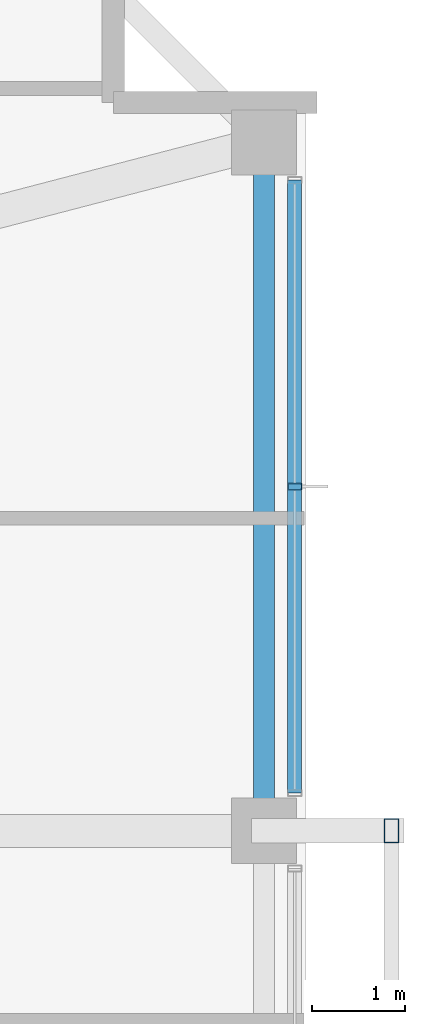
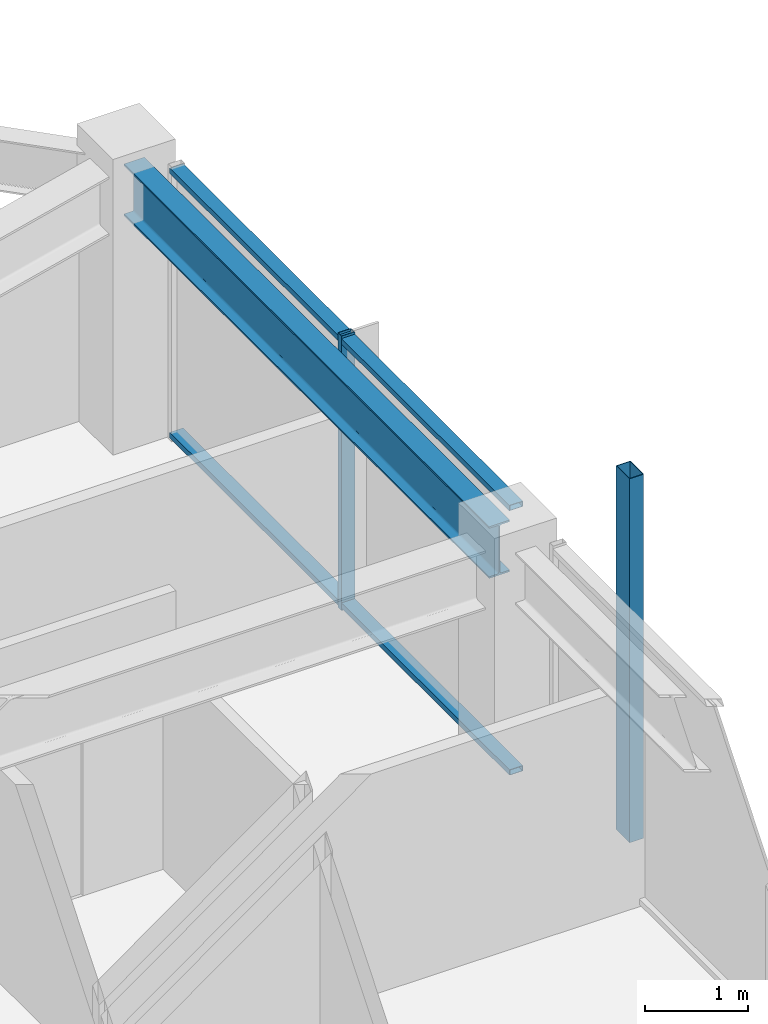
# One storey, part 14 of 34: 4 members, 1 beam, 1 element without a shape of its own.
"""IFC4 building model written with IfcOpenShell, lengths in metres."""

from ifc_helpers import new_model, si_unit, direction, frame, origin, origin_2d, place, context, subcontext, project, spatial, hollow_rectangle, i_section, extrude, material, material_profile, profile_set, type_object, element, aggregate, save


model = new_model("IFC4")

# Units and contexts
model_context = context("Model", 3, precision=1e-05, world=origin(), true_north=direction((0.0, 1.0)))
body_context = subcontext(model_context, "Body", "Model", "MODEL_VIEW")
ifc_project = project(units=[si_unit("LENGTHUNIT", "METRE"), si_unit("AREAUNIT", "SQUARE_METRE"), si_unit("VOLUMEUNIT", "CUBIC_METRE"), si_unit("PLANEANGLEUNIT", "RADIAN"), si_unit("MASSUNIT", "GRAM", prefix="KILO")], contexts=[model_context])

# Site, building, storey
site_placement = place(None, origin())
site = spatial("IfcSite", under=ifc_project, at=site_placement, CompositionType="ELEMENT")
building_placement = place(site_placement, origin())
building = spatial("IfcBuilding", under=site, at=building_placement, Name="Kolvaren Belvedere", CompositionType="ELEMENT")
storey_placement = place(building_placement, frame((0.0, 0.0, 240.89990234375)))
storey = spatial("IfcBuildingStorey", under=building, at=storey_placement, Name="L70", CompositionType="ELEMENT", Elevation=240.89990234375)

# Beam
ifc_material_1 = material(Name="Structural steel ASTM A992 Grade 50", Category="steel")
ifc_material_profile_1 = material_profile(ifc_material_1, i_section(OverallWidth=0.22900390625, OverallDepth=0.612060546875, WebThickness=0.011962890625, FlangeThickness=0.01953125, FilletRadius=0.01806640625, at=origin_2d()), Name="W24X84")
ifc_profile_set_1 = profile_set([ifc_material_profile_1], Name="Structural steel ASTM A992 Grade 50")
beam_type = type_object("IfcBeamType", Name="BM-SPAN-W24X84", PredefinedType="SPANDREL", material=ifc_profile_set_1)
beam_placement = place(storey_placement, frame((17.949951171875, 4.757568359375, 2.944091796875), z_axis=(0.0, 1.0, 0.0), x_axis=(-1.0, 0.0, 0.0)))
element("IfcBeam", 1, at=beam_placement, inside=storey, type_object=beam_type, Name="L70 Perimeter Spandrel E3-E4", PredefinedType="SPANDREL", context=body_context, shape_type="SweptSolid", body=[
    extrude(i_section(OverallWidth=0.22900390625, OverallDepth=0.612060546875, WebThickness=0.011962890625, FlangeThickness=0.01953125, FilletRadius=0.01806640625, at=origin_2d()), origin(), (0.0, 0.0, 1.0), 7.0849609375),
])

# Curtain wall, members
ifc_material_2 = material(Name="Anodised pale-metal aluminium AA 6063-T6", Category="aluminium")
curtain_wall_type = type_object("IfcCurtainWallType", Name="CW-Z5-HIGH", PredefinedType="NOTDEFINED", material=ifc_material_2)
curtain_wall_placement = place(storey_placement, origin())
curtain_wall = element("IfcCurtainWall", 2, at=curtain_wall_placement, inside=storey, type_object=curtain_wall_type, Name="L70 Unitised Curtain Wall FCW-L70-E-B1", PredefinedType="NOTDEFINED")
ifc_material_3 = material(Name="Anodised pale-metal aluminium AA 6063-T6", Category="aluminium")
ifc_material_profile_2 = material_profile(ifc_material_3, hollow_rectangle(XDim=0.070068359375, YDim=0.14990234375, WallThickness=0.004150390625, at=origin_2d()), Name="ALU-MUL-150X70")
ifc_profile_set_2 = profile_set([ifc_material_profile_2], Name="Anodised pale-metal aluminium AA 6063-T6")
member_type_1 = type_object("IfcMemberType", Name="CW-MUL-150", PredefinedType="MULLION", material=ifc_profile_set_2)
member_1_placement = place(storey_placement, frame((18.280029296875, 8.300048828125, 0.0), z_axis=(0.0, 0.0, 1.0), x_axis=(0.0, 1.0, 0.0)))
member_1 = element("IfcMember", 3, at=member_1_placement, type_object=member_type_1, Name="FCW-L70-E-B1 Unitised Mullion 2", PredefinedType="MULLION", context=body_context, shape_type="SweptSolid", body=[
    extrude(hollow_rectangle(XDim=0.070068359375, YDim=0.14990234375, WallThickness=0.004150390625, at=origin_2d()), origin(), (0.0, 0.0, 1.0), 3.25),
])
ifc_material_4 = material(Name="Anodised pale-metal aluminium AA 6063-T6", Category="aluminium")
ifc_material_profile_3 = material_profile(ifc_material_4, hollow_rectangle(XDim=0.06494140625, YDim=0.14990234375, WallThickness=0.00390625, at=origin_2d()), Name="ALU-TRN-150X65")
ifc_profile_set_3 = profile_set([ifc_material_profile_3], Name="Anodised pale-metal aluminium AA 6063-T6")
member_type_2 = type_object("IfcMemberType", Name="CW-TRN-150", PredefinedType="USERDEFINED", material=ifc_profile_set_3)
member_2_placement = place(storey_placement, frame((18.280029296875, 11.594970703125, 0.06005859375), z_axis=(0.0, -1.0, 0.0), x_axis=(0.0, 0.0, 1.0)))
member_2 = element("IfcMember", 4, at=member_2_placement, type_object=member_type_2, Name="FCW-L70-E-B1 Sill Transom", ObjectType="TRANSOM", PredefinedType="USERDEFINED", context=body_context, shape_type="SweptSolid", body=[
    extrude(hollow_rectangle(XDim=0.06494140625, YDim=0.14990234375, WallThickness=0.00390625, at=origin_2d()), origin(), (0.0, 0.0, 1.0), 6.590087890625),
])
member_3_placement = place(storey_placement, frame((18.280029296875, 11.594970703125, 3.190185546875), z_axis=(0.0, -1.0, 0.0), x_axis=(0.0, 0.0, 1.0)))
member_3 = element("IfcMember", 5, at=member_3_placement, type_object=member_type_2, Name="FCW-L70-E-B1 Head Transom", ObjectType="TRANSOM", PredefinedType="USERDEFINED", context=body_context, shape_type="SweptSolid", body=[
    extrude(hollow_rectangle(XDim=0.06494140625, YDim=0.14990234375, WallThickness=0.00390625, at=origin_2d()), origin(), (0.0, 0.0, 1.0), 6.590087890625),
])
aggregate(curtain_wall, [member_1, member_2, member_3])

# Member
ifc_material_5 = material(Name="Anodised pale-metal aluminium AA 6063-T6", Category="aluminium")
ifc_material_profile_4 = material_profile(ifc_material_5, hollow_rectangle(XDim=0.159912109375, YDim=0.260009765625, WallThickness=0.006591796875, at=origin_2d()), Name="ALU-PF-260X160")
ifc_profile_set_4 = profile_set([ifc_material_profile_4], Name="Anodised pale-metal aluminium AA 6063-T6")
member_type_3 = type_object("IfcMemberType", Name="PF-FRAME-260", PredefinedType="USERDEFINED", material=ifc_profile_set_4)
member_4_placement = place(storey_placement, frame((19.320068359375, 4.60009765625, -0.809814453125), z_axis=(0.0, 0.0, 1.0), x_axis=(1.0, 0.0, 0.0)))
element("IfcMember", 6, at=member_4_placement, inside=storey, type_object=member_type_3, Name="L70 Outboard Picture-Frame Vertical E1", ObjectType="PICTURE FRAME FIN", PredefinedType="USERDEFINED", context=body_context, shape_type="SweptSolid", body=[
    extrude(hollow_rectangle(XDim=0.159912109375, YDim=0.260009765625, WallThickness=0.006591796875, at=origin_2d()), origin(), (0.0, 0.0, 1.0), 4.309814453125),
])

save(model, "model.ifc")
